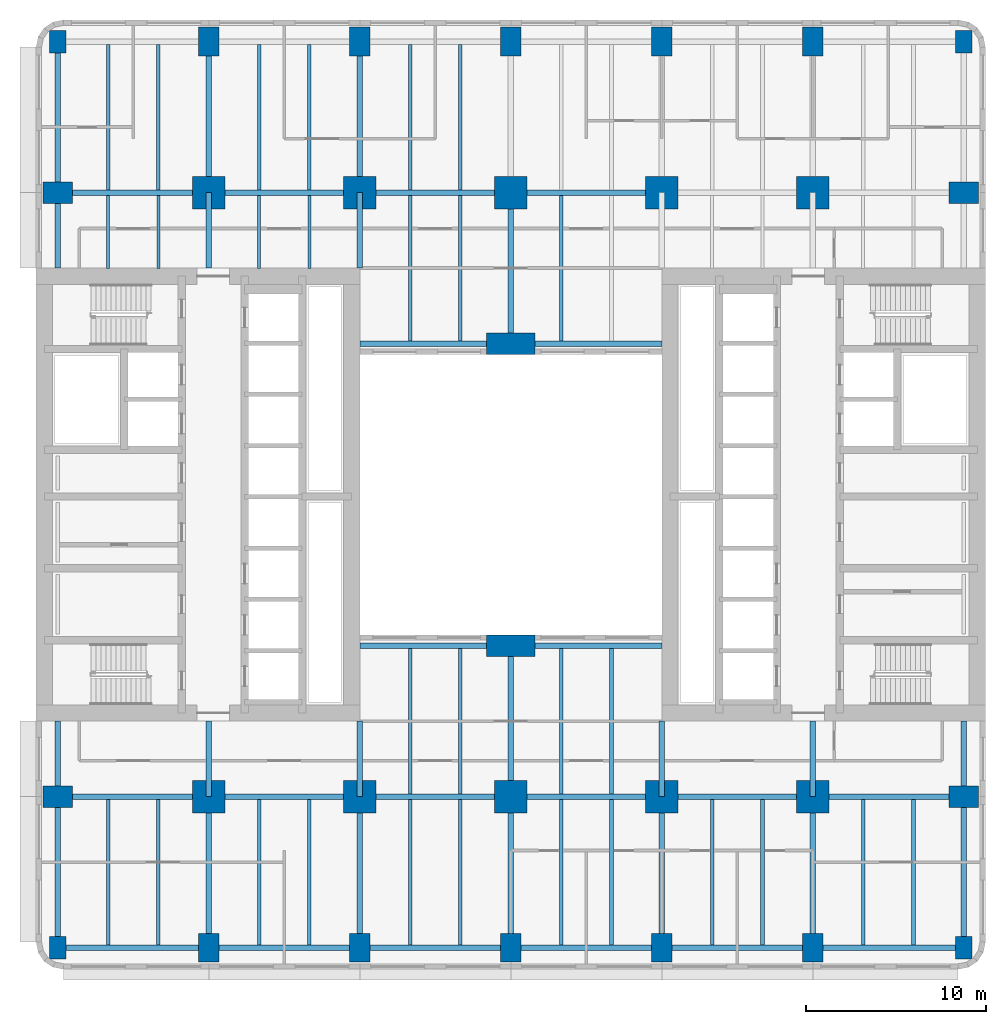
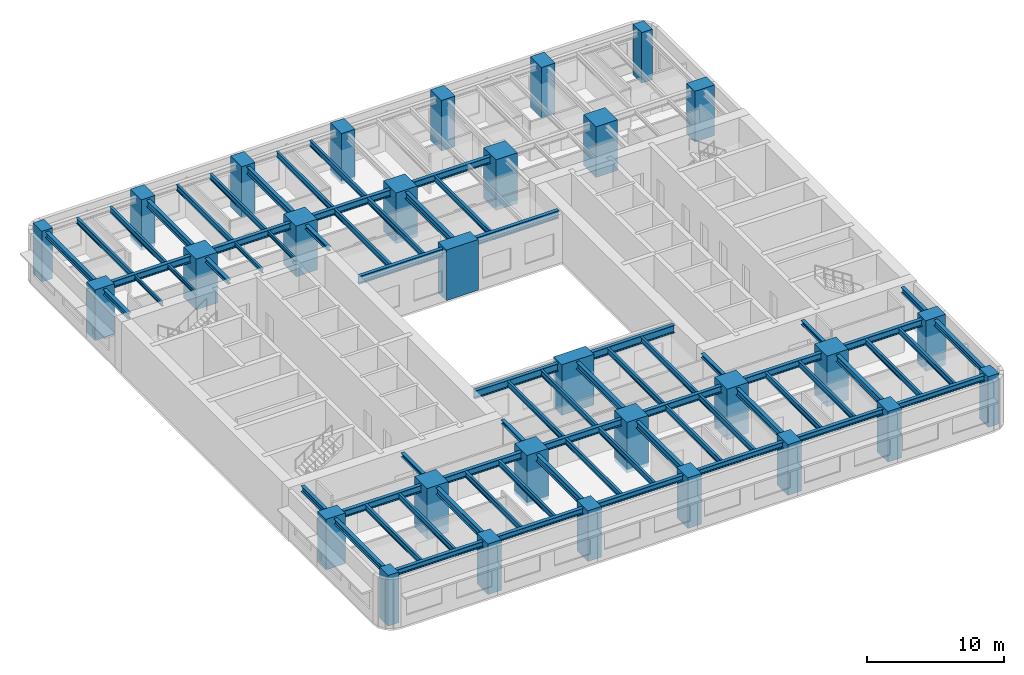
# One storey, part 1 of 14: 70 beams, 30 columns.
"""IFC4 building model written with IfcOpenShell, lengths in metres."""

from ifc_helpers import new_model, si_unit, direction, frame, origin, origin_2d, place, context, subcontext, project, spatial, rectangle, i_section, extrude, material, material_profile, profile_set, type_object, element, save


model = new_model("IFC4")

# Units and contexts
model_context = context("Model", 3, precision=1e-05, world=origin(), true_north=direction((0.0, 1.0)))
body_context = subcontext(model_context, "Body", "Model", "MODEL_VIEW")
ifc_project = project(units=[si_unit("LENGTHUNIT", "METRE"), si_unit("AREAUNIT", "SQUARE_METRE"), si_unit("VOLUMEUNIT", "CUBIC_METRE"), si_unit("PLANEANGLEUNIT", "RADIAN"), si_unit("MASSUNIT", "GRAM", prefix="KILO")], contexts=[model_context])

# Site, building, storey
site_placement = place(None, origin())
site = spatial("IfcSite", under=ifc_project, at=site_placement, CompositionType="ELEMENT")
building_placement = place(site_placement, origin())
building = spatial("IfcBuilding", under=site, at=building_placement, Name="Claustro Exchange Tower", CompositionType="ELEMENT")
storey_placement = place(building_placement, frame((0.0, 0.0, 41.39990234375)))
storey = spatial("IfcBuildingStorey", under=building, at=storey_placement, Name="L09", CompositionType="ELEMENT", Elevation=41.39990234375)

# Columns
ifc_material_1 = material(Name="Concrete HA-70 (C70/85)", Category="concrete")
ifc_material_profile_1 = material_profile(ifc_material_1, rectangle(XDim=1.800048828125, YDim=1.800048828125, at=origin_2d()), Name="RC 1800x1800")
ifc_profile_set_1 = profile_set([ifc_material_profile_1], Name="Concrete HA-70 (C70/85)")
column_type_1 = type_object("IfcColumnType", Name="C14 RC 1800x1800 HA-70 column", PredefinedType="COLUMN", material=ifc_profile_set_1)
for number, where, z_axis, x_axis, name in (
    (1, (8.39990234375, 8.39990234375, 0.0), (0.0, 0.0, 1.0), (1.0, 0.0, 0.0), "Column C14 2/B L09"),
    (2, (8.39990234375, 42.0, 0.0), (0.0, 0.0, 1.0), (1.0, 0.0, 0.0), "Column C14 2/F L09"),
    (3, (16.800048828125, 8.39990234375, 0.0), (0.0, 0.0, 1.0), (1.0, 0.0, 0.0), "Column C14 3/B L09"),
    (4, (16.800048828125, 42.0, 0.0), (0.0, 0.0, 1.0), (1.0, 0.0, 0.0), "Column C14 3/F L09"),
    (5, (25.199951171875, 8.39990234375, 0.0), (0.0, 0.0, 1.0), (1.0, 0.0, 0.0), "Column C14 4/B L09"),
    (6, (25.199951171875, 42.0, 0.0), (0.0, 0.0, 1.0), (1.0, 0.0, 0.0), "Column C14 4/F L09"),
    (7, (33.60009765625, 8.39990234375, 0.0), (0.0, 0.0, 1.0), (1.0, 0.0, 0.0), "Column C14 5/B L09"),
    (8, (33.60009765625, 42.0, 0.0), (0.0, 0.0, 1.0), (1.0, 0.0, 0.0), "Column C14 5/F L09"),
    (9, (42.0, 8.39990234375, 0.0), (0.0, 0.0, 1.0), (1.0, 0.0, 0.0), "Column C14 6/B L09"),
    (10, (42.0, 42.0, 0.0), (0.0, 0.0, 1.0), (1.0, 0.0, 0.0), "Column C14 6/F L09"),
):
    element("IfcColumn", number, at=place(storey_placement, frame(where, z_axis=z_axis, x_axis=x_axis)), inside=storey, type_object=column_type_1, Name=name, PredefinedType="COLUMN", context=body_context, shape_type="SweptSolid", body=[
        extrude(rectangle(XDim=1.800048828125, YDim=1.800048828125, at=origin_2d()), origin(), (0.0, 0.0, 1.0), 4.5),
    ])
ifc_material_2 = material(Name="Concrete HA-70 (C70/85)", Category="concrete")
ifc_material_profile_2 = material_profile(ifc_material_2, rectangle(XDim=1.199951171875, YDim=1.64990234375, at=origin_2d()), Name="RC 1200x1650")
ifc_profile_set_2 = profile_set([ifc_material_profile_2], Name="Concrete HA-70 (C70/85)")
column_type_2 = type_object("IfcColumnType", Name="C19 RC 1200x1650 HA-70 perimeter column", PredefinedType="COLUMN", material=ifc_profile_set_2)
for number, where, z_axis, x_axis, name in (
    (11, (0.0, 8.39990234375, 0.0), (0.0, 0.0, 1.0), (0.0, 1.0, 0.0), "Column C19 1/B L09"),
    (12, (0.0, 42.0, 0.0), (0.0, 0.0, 1.0), (0.0, 1.0, 0.0), "Column C19 1/F L09"),
    (13, (50.39990234375, 8.39990234375, 0.0), (0.0, 0.0, 1.0), (0.0, 1.0, 0.0), "Column C19 7/B L09"),
    (14, (50.39990234375, 42.0, 0.0), (0.0, 0.0, 1.0), (0.0, 1.0, 0.0), "Column C19 7/F L09"),
):
    element("IfcColumn", number, at=place(storey_placement, frame(where, z_axis=z_axis, x_axis=x_axis)), inside=storey, type_object=column_type_2, Name=name, PredefinedType="COLUMN", context=body_context, shape_type="SweptSolid", body=[
        extrude(rectangle(XDim=1.199951171875, YDim=1.64990234375, at=origin_2d()), origin(), (0.0, 0.0, 1.0), 4.5),
    ])
ifc_material_3 = material(Name="Concrete HA-70 (C70/85)", Category="concrete")
ifc_material_profile_3 = material_profile(ifc_material_3, rectangle(XDim=1.14990234375, YDim=1.60009765625, at=origin_2d()), Name="RC 1150x1600")
ifc_profile_set_3 = profile_set([ifc_material_profile_3], Name="Concrete HA-70 (C70/85)")
column_type_3 = type_object("IfcColumnType", Name="C20 RC 1150x1600 HA-70 perimeter column", PredefinedType="COLUMN", material=ifc_profile_set_3)
for number, where, z_axis, x_axis, name in (
    (15, (8.39990234375, 0.0, 0.0), (0.0, 0.0, 1.0), (1.0, 0.0, 0.0), "Column C20 2/A L09"),
    (16, (8.39990234375, 50.39990234375, 0.0), (0.0, 0.0, 1.0), (1.0, 0.0, 0.0), "Column C20 2/G L09"),
    (17, (16.800048828125, 0.0, 0.0), (0.0, 0.0, 1.0), (1.0, 0.0, 0.0), "Column C20 3/A L09"),
    (18, (16.800048828125, 50.39990234375, 0.0), (0.0, 0.0, 1.0), (1.0, 0.0, 0.0), "Column C20 3/G L09"),
    (19, (25.199951171875, 0.0, 0.0), (0.0, 0.0, 1.0), (1.0, 0.0, 0.0), "Column C20 4/A L09"),
    (20, (25.199951171875, 50.39990234375, 0.0), (0.0, 0.0, 1.0), (1.0, 0.0, 0.0), "Column C20 4/G L09"),
    (21, (33.60009765625, 0.0, 0.0), (0.0, 0.0, 1.0), (1.0, 0.0, 0.0), "Column C20 5/A L09"),
    (22, (33.60009765625, 50.39990234375, 0.0), (0.0, 0.0, 1.0), (1.0, 0.0, 0.0), "Column C20 5/G L09"),
    (23, (42.0, 0.0, 0.0), (0.0, 0.0, 1.0), (1.0, 0.0, 0.0), "Column C20 6/A L09"),
    (24, (42.0, 50.39990234375, 0.0), (0.0, 0.0, 1.0), (1.0, 0.0, 0.0), "Column C20 6/G L09"),
):
    element("IfcColumn", number, at=place(storey_placement, frame(where, z_axis=z_axis, x_axis=x_axis)), inside=storey, type_object=column_type_3, Name=name, PredefinedType="COLUMN", context=body_context, shape_type="SweptSolid", body=[
        extrude(rectangle(XDim=1.14990234375, YDim=1.60009765625, at=origin_2d()), origin(), (0.0, 0.0, 1.0), 4.5),
    ])
ifc_material_4 = material(Name="Concrete HA-70 (C70/85)", Category="concrete")
ifc_material_profile_4 = material_profile(ifc_material_4, rectangle(XDim=2.699951171875, YDim=1.199951171875, at=origin_2d()), Name="RC 2700x1200")
ifc_profile_set_4 = profile_set([ifc_material_profile_4], Name="Concrete HA-70 (C70/85)")
column_type_4 = type_object("IfcColumnType", Name="C30 RC 2700x1200 HA-70 light well column", PredefinedType="COLUMN", material=ifc_profile_set_4)
for number, where, z_axis, x_axis, name in (
    (25, (25.199951171875, 16.800048828125, 0.0), (0.0, 0.0, 1.0), (1.0, 0.0, 0.0), "Column C30 4/C L09"),
    (26, (25.199951171875, 33.60009765625, 0.0), (0.0, 0.0, 1.0), (1.0, 0.0, 0.0), "Column C30 4/E L09"),
):
    element("IfcColumn", number, at=place(storey_placement, frame(where, z_axis=z_axis, x_axis=x_axis)), inside=storey, type_object=column_type_4, Name=name, PredefinedType="COLUMN", context=body_context, shape_type="SweptSolid", body=[
        extrude(rectangle(XDim=2.699951171875, YDim=1.199951171875, at=origin_2d()), origin(), (0.0, 0.0, 1.0), 4.5),
    ])
ifc_material_5 = material(Name="Concrete HA-70 (C70/85)", Category="concrete")
ifc_material_profile_5 = material_profile(ifc_material_5, rectangle(XDim=0.89990234375, YDim=1.25, at=origin_2d()), Name="RC 900x1250")
ifc_profile_set_5 = profile_set([ifc_material_profile_5], Name="Concrete HA-70 (C70/85)")
column_type_5 = type_object("IfcColumnType", Name="C35 RC 900x1250 HA-70 corner column", PredefinedType="COLUMN", material=ifc_profile_set_5)
for number, where, z_axis, x_axis, name in (
    (27, (0.0, 0.0, 0.0), (0.0, 0.0, 1.0), (1.0, 0.0, 0.0), "Column C35 1/A L09"),
    (28, (0.0, 50.39990234375, 0.0), (0.0, 0.0, 1.0), (1.0, 0.0, 0.0), "Column C35 1/G L09"),
    (29, (50.39990234375, 0.0, 0.0), (0.0, 0.0, 1.0), (1.0, 0.0, 0.0), "Column C35 7/A L09"),
    (30, (50.39990234375, 50.39990234375, 0.0), (0.0, 0.0, 1.0), (1.0, 0.0, 0.0), "Column C35 7/G L09"),
):
    element("IfcColumn", number, at=place(storey_placement, frame(where, z_axis=z_axis, x_axis=x_axis)), inside=storey, type_object=column_type_5, Name=name, PredefinedType="COLUMN", context=body_context, shape_type="SweptSolid", body=[
        extrude(rectangle(XDim=0.89990234375, YDim=1.25, at=origin_2d()), origin(), (0.0, 0.0, 1.0), 4.5),
    ])

# Beams
ifc_material_6 = material(Name="Steel S355", Category="steel")
ifc_material_profile_6 = material_profile(ifc_material_6, i_section(OverallWidth=0.300048828125, OverallDepth=0.60009765625, WebThickness=0.015380859375, FlangeThickness=0.030029296875, FilletRadius=0.027099609375, at=origin_2d()), Name="HE 600 B")
ifc_profile_set_6 = profile_set([ifc_material_profile_6], Name="Steel S355")
beam_type_1 = type_object("IfcBeamType", Name="B1 HE 600 B floor girder", PredefinedType="BEAM", material=ifc_profile_set_6)
for number, where, z_axis, x_axis, name in (
    (31, (8.39990234375, 0.0, 4.0400390625), (0.0, 1.0, 0.0), (-1.0, 0.0, 0.0), "Beam B1 L10"),
    (32, (8.39990234375, 42.0, 4.0400390625), (0.0, 1.0, 0.0), (-1.0, 0.0, 0.0), "Beam B1 L10"),
    (33, (16.800048828125, 0.0, 4.0400390625), (0.0, 1.0, 0.0), (-1.0, 0.0, 0.0), "Beam B1 L10"),
    (34, (16.800048828125, 42.0, 4.0400390625), (0.0, 1.0, 0.0), (-1.0, 0.0, 0.0), "Beam B1 L10"),
    (35, (25.199951171875, 0.0, 4.0400390625), (0.0, 1.0, 0.0), (-1.0, 0.0, 0.0), "Beam B1 L10"),
):
    element("IfcBeam", number, at=place(storey_placement, frame(where, z_axis=z_axis, x_axis=x_axis)), inside=storey, type_object=beam_type_1, Name=name, PredefinedType="BEAM", context=body_context, shape_type="SweptSolid", body=[
        extrude(i_section(OverallWidth=0.300048828125, OverallDepth=0.60009765625, WebThickness=0.015380859375, FlangeThickness=0.030029296875, FilletRadius=0.027099609375, at=origin_2d()), origin(), (0.0, 0.0, 1.0), 8.39990234375),
    ])
beam_1_placement = place(storey_placement, frame((25.199951171875, 8.39990234375, 4.0400390625), z_axis=(0.0, 1.0, 0.0), x_axis=(-1.0, 0.0, 0.0)))
element("IfcBeam", 36, at=beam_1_placement, inside=storey, type_object=beam_type_1, Name="Beam B1 L10", PredefinedType="BEAM", context=body_context, shape_type="SweptSolid", body=[
    extrude(i_section(OverallWidth=0.300048828125, OverallDepth=0.60009765625, WebThickness=0.015380859375, FlangeThickness=0.030029296875, FilletRadius=0.027099609375, at=origin_2d()), origin(), (0.0, 0.0, 1.0), 8.400146484375),
])
for number, where, z_axis, x_axis, name in (
    (37, (25.199951171875, 33.60009765625, 4.0400390625), (0.0, 1.0, 0.0), (-1.0, 0.0, 0.0), "Beam B1 L10"),
    (38, (33.60009765625, 0.0, 4.0400390625), (0.0, 1.0, 0.0), (-1.0, 0.0, 0.0), "Beam B1 L10"),
    (39, (42.0, 0.0, 4.0400390625), (0.0, 1.0, 0.0), (-1.0, 0.0, 0.0), "Beam B1 L10"),
    (40, (0.0, 8.39990234375, 4.0400390625), (1.0, 0.0, 0.0), (0.0, 1.0, 0.0), "Beam B1 L10"),
):
    element("IfcBeam", number, at=place(storey_placement, frame(where, z_axis=z_axis, x_axis=x_axis)), inside=storey, type_object=beam_type_1, Name=name, PredefinedType="BEAM", context=body_context, shape_type="SweptSolid", body=[
        extrude(i_section(OverallWidth=0.300048828125, OverallDepth=0.60009765625, WebThickness=0.015380859375, FlangeThickness=0.030029296875, FilletRadius=0.027099609375, at=origin_2d()), origin(), (0.0, 0.0, 1.0), 8.39990234375),
    ])
beam_2_placement = place(storey_placement, frame((8.39990234375, 8.39990234375, 4.0400390625), z_axis=(1.0, 0.0, 0.0), x_axis=(0.0, 1.0, 0.0)))
element("IfcBeam", 41, at=beam_2_placement, inside=storey, type_object=beam_type_1, Name="Beam B1 L10", PredefinedType="BEAM", context=body_context, shape_type="SweptSolid", body=[
    extrude(i_section(OverallWidth=0.300048828125, OverallDepth=0.60009765625, WebThickness=0.015380859375, FlangeThickness=0.030029296875, FilletRadius=0.027099609375, at=origin_2d()), origin(), (0.0, 0.0, 1.0), 8.400146484375),
])
beam_3_placement = place(storey_placement, frame((16.800048828125, 8.39990234375, 4.0400390625), z_axis=(1.0, 0.0, 0.0), x_axis=(0.0, 1.0, 0.0)))
element("IfcBeam", 42, at=beam_3_placement, inside=storey, type_object=beam_type_1, Name="Beam B1 L10", PredefinedType="BEAM", context=body_context, shape_type="SweptSolid", body=[
    extrude(i_section(OverallWidth=0.300048828125, OverallDepth=0.60009765625, WebThickness=0.015380859375, FlangeThickness=0.030029296875, FilletRadius=0.027099609375, at=origin_2d()), origin(), (0.0, 0.0, 1.0), 8.39990234375),
])
beam_4_placement = place(storey_placement, frame((25.199951171875, 8.39990234375, 4.0400390625), z_axis=(1.0, 0.0, 0.0), x_axis=(0.0, 1.0, 0.0)))
element("IfcBeam", 43, at=beam_4_placement, inside=storey, type_object=beam_type_1, Name="Beam B1 L10", PredefinedType="BEAM", context=body_context, shape_type="SweptSolid", body=[
    extrude(i_section(OverallWidth=0.300048828125, OverallDepth=0.60009765625, WebThickness=0.015380859375, FlangeThickness=0.030029296875, FilletRadius=0.027099609375, at=origin_2d()), origin(), (0.0, 0.0, 1.0), 8.400146484375),
])
for number, where, z_axis, x_axis, name in (
    (44, (33.60009765625, 8.39990234375, 4.0400390625), (1.0, 0.0, 0.0), (0.0, 1.0, 0.0), "Beam B1 L10"),
    (45, (42.0, 8.39990234375, 4.0400390625), (1.0, 0.0, 0.0), (0.0, 1.0, 0.0), "Beam B1 L10"),
    (46, (0.0, 42.0, 4.0400390625), (1.0, 0.0, 0.0), (0.0, 1.0, 0.0), "Beam B1 L10"),
):
    element("IfcBeam", number, at=place(storey_placement, frame(where, z_axis=z_axis, x_axis=x_axis)), inside=storey, type_object=beam_type_1, Name=name, PredefinedType="BEAM", context=body_context, shape_type="SweptSolid", body=[
        extrude(i_section(OverallWidth=0.300048828125, OverallDepth=0.60009765625, WebThickness=0.015380859375, FlangeThickness=0.030029296875, FilletRadius=0.027099609375, at=origin_2d()), origin(), (0.0, 0.0, 1.0), 8.39990234375),
    ])
beam_5_placement = place(storey_placement, frame((8.39990234375, 42.0, 4.0400390625), z_axis=(1.0, 0.0, 0.0), x_axis=(0.0, 1.0, 0.0)))
element("IfcBeam", 47, at=beam_5_placement, inside=storey, type_object=beam_type_1, Name="Beam B1 L10", PredefinedType="BEAM", context=body_context, shape_type="SweptSolid", body=[
    extrude(i_section(OverallWidth=0.300048828125, OverallDepth=0.60009765625, WebThickness=0.015380859375, FlangeThickness=0.030029296875, FilletRadius=0.027099609375, at=origin_2d()), origin(), (0.0, 0.0, 1.0), 8.400146484375),
])
beam_6_placement = place(storey_placement, frame((16.800048828125, 42.0, 4.0400390625), z_axis=(1.0, 0.0, 0.0), x_axis=(0.0, 1.0, 0.0)))
element("IfcBeam", 48, at=beam_6_placement, inside=storey, type_object=beam_type_1, Name="Beam B1 L10", PredefinedType="BEAM", context=body_context, shape_type="SweptSolid", body=[
    extrude(i_section(OverallWidth=0.300048828125, OverallDepth=0.60009765625, WebThickness=0.015380859375, FlangeThickness=0.030029296875, FilletRadius=0.027099609375, at=origin_2d()), origin(), (0.0, 0.0, 1.0), 8.39990234375),
])
beam_7_placement = place(storey_placement, frame((25.199951171875, 42.0, 4.0400390625), z_axis=(1.0, 0.0, 0.0), x_axis=(0.0, 1.0, 0.0)))
element("IfcBeam", 49, at=beam_7_placement, inside=storey, type_object=beam_type_1, Name="Beam B1 L10", PredefinedType="BEAM", context=body_context, shape_type="SweptSolid", body=[
    extrude(i_section(OverallWidth=0.300048828125, OverallDepth=0.60009765625, WebThickness=0.015380859375, FlangeThickness=0.030029296875, FilletRadius=0.027099609375, at=origin_2d()), origin(), (0.0, 0.0, 1.0), 8.400146484375),
])
ifc_material_7 = material(Name="Steel S355", Category="steel")
ifc_material_profile_7 = material_profile(ifc_material_7, i_section(OverallWidth=0.300048828125, OverallDepth=0.68994140625, WebThickness=0.014404296875, FlangeThickness=0.027099609375, FilletRadius=0.027099609375, at=origin_2d()), Name="HE 700 A")
ifc_profile_set_7 = profile_set([ifc_material_profile_7], Name="Steel S355")
beam_type_2 = type_object("IfcBeamType", Name="B13 HE 700 A light well edge girder", PredefinedType="BEAM", material=ifc_profile_set_7)
beam_8_placement = place(storey_placement, frame((16.800048828125, 16.800048828125, 3.9951171875), z_axis=(1.0, 0.0, 0.0), x_axis=(0.0, 1.0, 0.0)))
element("IfcBeam", 50, at=beam_8_placement, inside=storey, type_object=beam_type_2, Name="Beam B13 L10", PredefinedType="BEAM", context=body_context, shape_type="SweptSolid", body=[
    extrude(i_section(OverallWidth=0.300048828125, OverallDepth=0.68994140625, WebThickness=0.014404296875, FlangeThickness=0.027099609375, FilletRadius=0.027099609375, at=origin_2d()), origin(), (0.0, 0.0, 1.0), 8.39990234375),
])
beam_9_placement = place(storey_placement, frame((25.199951171875, 16.800048828125, 3.9951171875), z_axis=(1.0, 0.0, 0.0), x_axis=(0.0, 1.0, 0.0)))
element("IfcBeam", 51, at=beam_9_placement, inside=storey, type_object=beam_type_2, Name="Beam B13 L10", PredefinedType="BEAM", context=body_context, shape_type="SweptSolid", body=[
    extrude(i_section(OverallWidth=0.300048828125, OverallDepth=0.68994140625, WebThickness=0.014404296875, FlangeThickness=0.027099609375, FilletRadius=0.027099609375, at=origin_2d()), origin(), (0.0, 0.0, 1.0), 8.400146484375),
])
beam_10_placement = place(storey_placement, frame((16.800048828125, 33.60009765625, 3.9951171875), z_axis=(1.0, 0.0, 0.0), x_axis=(0.0, 1.0, 0.0)))
element("IfcBeam", 52, at=beam_10_placement, inside=storey, type_object=beam_type_2, Name="Beam B13 L10", PredefinedType="BEAM", context=body_context, shape_type="SweptSolid", body=[
    extrude(i_section(OverallWidth=0.300048828125, OverallDepth=0.68994140625, WebThickness=0.014404296875, FlangeThickness=0.027099609375, FilletRadius=0.027099609375, at=origin_2d()), origin(), (0.0, 0.0, 1.0), 8.39990234375),
])
beam_11_placement = place(storey_placement, frame((25.199951171875, 33.60009765625, 3.9951171875), z_axis=(1.0, 0.0, 0.0), x_axis=(0.0, 1.0, 0.0)))
element("IfcBeam", 53, at=beam_11_placement, inside=storey, type_object=beam_type_2, Name="Beam B13 L10", PredefinedType="BEAM", context=body_context, shape_type="SweptSolid", body=[
    extrude(i_section(OverallWidth=0.300048828125, OverallDepth=0.68994140625, WebThickness=0.014404296875, FlangeThickness=0.027099609375, FilletRadius=0.027099609375, at=origin_2d()), origin(), (0.0, 0.0, 1.0), 8.400146484375),
])
ifc_material_8 = material(Name="Steel S355", Category="steel")
ifc_material_profile_8 = material_profile(ifc_material_8, i_section(OverallWidth=0.169921875, OverallDepth=0.360107421875, WebThickness=0.008056640625, FlangeThickness=0.0126953125, FilletRadius=0.01806640625, at=origin_2d()), Name="IPE 360")
ifc_profile_set_8 = profile_set([ifc_material_profile_8], Name="Steel S355")
beam_type_3 = type_object("IfcBeamType", Name="B16 IPE 360 short-span beam", PredefinedType="BEAM", material=ifc_profile_set_8)
for number, where, z_axis, x_axis, name in (
    (54, (2.800048828125, 37.7900390625, 4.16015625), (0.0, 1.0, 0.0), (-1.0, 0.0, 0.0), "Beam B16 L10"),
    (55, (5.60009765625, 37.7900390625, 4.16015625), (0.0, 1.0, 0.0), (-1.0, 0.0, 0.0), "Beam B16 L10"),
    (56, (11.199951171875, 37.7900390625, 4.16015625), (0.0, 1.0, 0.0), (-1.0, 0.0, 0.0), "Beam B16 L10"),
    (57, (14.0, 37.7900390625, 4.16015625), (0.0, 1.0, 0.0), (-1.0, 0.0, 0.0), "Beam B16 L10"),
):
    element("IfcBeam", number, at=place(storey_placement, frame(where, z_axis=z_axis, x_axis=x_axis)), inside=storey, type_object=beam_type_3, Name=name, PredefinedType="BEAM", context=body_context, shape_type="SweptSolid", body=[
        extrude(i_section(OverallWidth=0.169921875, OverallDepth=0.360107421875, WebThickness=0.008056640625, FlangeThickness=0.0126953125, FilletRadius=0.01806640625, at=origin_2d()), origin(), (0.0, 0.0, 1.0), 4.06005859375),
    ])
ifc_material_9 = material(Name="Steel S355", Category="steel")
ifc_material_profile_9 = material_profile(ifc_material_9, i_section(OverallWidth=0.199951171875, OverallDepth=0.5, WebThickness=0.01025390625, FlangeThickness=0.01611328125, FilletRadius=0.02099609375, at=origin_2d()), Name="IPE 500")
ifc_profile_set_9 = profile_set([ifc_material_profile_9], Name="Steel S355")
beam_type_4 = type_object("IfcBeamType", Name="B2 IPE 500 secondary beam", PredefinedType="BEAM", material=ifc_profile_set_9)
for number, where, z_axis, x_axis, name in (
    (58, (2.800048828125, 0.14990234375, 4.090087890625), (0.0, 1.0, 0.0), (-1.0, 0.0, 0.0), "Beam B2 L10"),
    (59, (5.60009765625, 0.14990234375, 4.090087890625), (0.0, 1.0, 0.0), (-1.0, 0.0, 0.0), "Beam B2 L10"),
    (60, (2.800048828125, 42.14990234375, 4.090087890625), (0.0, 1.0, 0.0), (-1.0, 0.0, 0.0), "Beam B2 L10"),
    (61, (5.60009765625, 42.14990234375, 4.090087890625), (0.0, 1.0, 0.0), (-1.0, 0.0, 0.0), "Beam B2 L10"),
    (62, (11.199951171875, 0.14990234375, 4.090087890625), (0.0, 1.0, 0.0), (-1.0, 0.0, 0.0), "Beam B2 L10"),
    (63, (14.0, 0.14990234375, 4.090087890625), (0.0, 1.0, 0.0), (-1.0, 0.0, 0.0), "Beam B2 L10"),
    (64, (11.199951171875, 42.14990234375, 4.090087890625), (0.0, 1.0, 0.0), (-1.0, 0.0, 0.0), "Beam B2 L10"),
    (65, (14.0, 42.14990234375, 4.090087890625), (0.0, 1.0, 0.0), (-1.0, 0.0, 0.0), "Beam B2 L10"),
    (66, (19.60009765625, 0.14990234375, 4.090087890625), (0.0, 1.0, 0.0), (-1.0, 0.0, 0.0), "Beam B2 L10"),
    (67, (22.39990234375, 0.14990234375, 4.090087890625), (0.0, 1.0, 0.0), (-1.0, 0.0, 0.0), "Beam B2 L10"),
):
    element("IfcBeam", number, at=place(storey_placement, frame(where, z_axis=z_axis, x_axis=x_axis)), inside=storey, type_object=beam_type_4, Name=name, PredefinedType="BEAM", context=body_context, shape_type="SweptSolid", body=[
        extrude(i_section(OverallWidth=0.199951171875, OverallDepth=0.5, WebThickness=0.01025390625, FlangeThickness=0.01611328125, FilletRadius=0.02099609375, at=origin_2d()), origin(), (0.0, 0.0, 1.0), 8.10009765625),
    ])
for number, where, z_axis, x_axis, name in (
    (68, (19.60009765625, 8.550048828125, 4.090087890625), (0.0, 1.0, 0.0), (-1.0, 0.0, 0.0), "Beam B2 L10"),
    (69, (22.39990234375, 8.550048828125, 4.090087890625), (0.0, 1.0, 0.0), (-1.0, 0.0, 0.0), "Beam B2 L10"),
):
    element("IfcBeam", number, at=place(storey_placement, frame(where, z_axis=z_axis, x_axis=x_axis)), inside=storey, type_object=beam_type_4, Name=name, PredefinedType="BEAM", context=body_context, shape_type="SweptSolid", body=[
        extrude(i_section(OverallWidth=0.199951171875, OverallDepth=0.5, WebThickness=0.01025390625, FlangeThickness=0.01611328125, FilletRadius=0.02099609375, at=origin_2d()), origin(), (0.0, 0.0, 1.0), 8.099853515625),
    ])
for number, where, z_axis, x_axis, name in (
    (70, (19.60009765625, 33.75, 4.090087890625), (0.0, 1.0, 0.0), (-1.0, 0.0, 0.0), "Beam B2 L10"),
    (71, (22.39990234375, 33.75, 4.090087890625), (0.0, 1.0, 0.0), (-1.0, 0.0, 0.0), "Beam B2 L10"),
    (72, (19.60009765625, 42.14990234375, 4.090087890625), (0.0, 1.0, 0.0), (-1.0, 0.0, 0.0), "Beam B2 L10"),
    (73, (22.39990234375, 42.14990234375, 4.090087890625), (0.0, 1.0, 0.0), (-1.0, 0.0, 0.0), "Beam B2 L10"),
    (74, (28.0, 0.14990234375, 4.090087890625), (0.0, 1.0, 0.0), (-1.0, 0.0, 0.0), "Beam B2 L10"),
    (75, (30.800048828125, 0.14990234375, 4.090087890625), (0.0, 1.0, 0.0), (-1.0, 0.0, 0.0), "Beam B2 L10"),
):
    element("IfcBeam", number, at=place(storey_placement, frame(where, z_axis=z_axis, x_axis=x_axis)), inside=storey, type_object=beam_type_4, Name=name, PredefinedType="BEAM", context=body_context, shape_type="SweptSolid", body=[
        extrude(i_section(OverallWidth=0.199951171875, OverallDepth=0.5, WebThickness=0.01025390625, FlangeThickness=0.01611328125, FilletRadius=0.02099609375, at=origin_2d()), origin(), (0.0, 0.0, 1.0), 8.10009765625),
    ])
for number, where, z_axis, x_axis, name in (
    (76, (28.0, 8.550048828125, 4.090087890625), (0.0, 1.0, 0.0), (-1.0, 0.0, 0.0), "Beam B2 L10"),
    (77, (30.800048828125, 8.550048828125, 4.090087890625), (0.0, 1.0, 0.0), (-1.0, 0.0, 0.0), "Beam B2 L10"),
):
    element("IfcBeam", number, at=place(storey_placement, frame(where, z_axis=z_axis, x_axis=x_axis)), inside=storey, type_object=beam_type_4, Name=name, PredefinedType="BEAM", context=body_context, shape_type="SweptSolid", body=[
        extrude(i_section(OverallWidth=0.199951171875, OverallDepth=0.5, WebThickness=0.01025390625, FlangeThickness=0.01611328125, FilletRadius=0.02099609375, at=origin_2d()), origin(), (0.0, 0.0, 1.0), 8.099853515625),
    ])
for number, where, z_axis, x_axis, name in (
    (78, (28.0, 33.75, 4.090087890625), (0.0, 1.0, 0.0), (-1.0, 0.0, 0.0), "Beam B2 L10"),
    (79, (36.39990234375, 0.14990234375, 4.090087890625), (0.0, 1.0, 0.0), (-1.0, 0.0, 0.0), "Beam B2 L10"),
    (80, (39.199951171875, 0.14990234375, 4.090087890625), (0.0, 1.0, 0.0), (-1.0, 0.0, 0.0), "Beam B2 L10"),
    (81, (44.800048828125, 0.14990234375, 4.090087890625), (0.0, 1.0, 0.0), (-1.0, 0.0, 0.0), "Beam B2 L10"),
    (82, (47.60009765625, 0.14990234375, 4.090087890625), (0.0, 1.0, 0.0), (-1.0, 0.0, 0.0), "Beam B2 L10"),
):
    element("IfcBeam", number, at=place(storey_placement, frame(where, z_axis=z_axis, x_axis=x_axis)), inside=storey, type_object=beam_type_4, Name=name, PredefinedType="BEAM", context=body_context, shape_type="SweptSolid", body=[
        extrude(i_section(OverallWidth=0.199951171875, OverallDepth=0.5, WebThickness=0.01025390625, FlangeThickness=0.01611328125, FilletRadius=0.02099609375, at=origin_2d()), origin(), (0.0, 0.0, 1.0), 8.10009765625),
    ])
ifc_material_10 = material(Name="Steel S355", Category="steel")
ifc_material_profile_10 = material_profile(ifc_material_10, i_section(OverallWidth=0.300048828125, OverallDepth=0.360107421875, WebThickness=0.012451171875, FlangeThickness=0.0224609375, FilletRadius=0.027099609375, at=origin_2d()), Name="HE 360 B")
ifc_profile_set_10 = profile_set([ifc_material_profile_10], Name="Steel S355")
beam_type_5 = type_object("IfcBeamType", Name="B29 HE 360 B column to core link beam", PredefinedType="BEAM", material=ifc_profile_set_10)
beam_12_placement = place(storey_placement, frame((8.39990234375, 8.39990234375, 4.16015625), z_axis=(0.0, 1.0, 0.0), x_axis=(-1.0, 0.0, 0.0)))
element("IfcBeam", 83, at=beam_12_placement, inside=storey, type_object=beam_type_5, Name="Beam B29 L10", PredefinedType="BEAM", context=body_context, shape_type="SweptSolid", body=[
    extrude(i_section(OverallWidth=0.300048828125, OverallDepth=0.360107421875, WebThickness=0.012451171875, FlangeThickness=0.0224609375, FilletRadius=0.027099609375, at=origin_2d()), origin(), (0.0, 0.0, 1.0), 4.2001953125),
])
beam_13_placement = place(storey_placement, frame((8.39990234375, 37.800048828125, 4.16015625), z_axis=(0.0, 1.0, 0.0), x_axis=(-1.0, 0.0, 0.0)))
element("IfcBeam", 84, at=beam_13_placement, inside=storey, type_object=beam_type_5, Name="Beam B29 L10", PredefinedType="BEAM", context=body_context, shape_type="SweptSolid", body=[
    extrude(i_section(OverallWidth=0.300048828125, OverallDepth=0.360107421875, WebThickness=0.012451171875, FlangeThickness=0.0224609375, FilletRadius=0.027099609375, at=origin_2d()), origin(), (0.0, 0.0, 1.0), 4.199951171875),
])
beam_14_placement = place(storey_placement, frame((16.800048828125, 8.39990234375, 4.16015625), z_axis=(0.0, 1.0, 0.0), x_axis=(-1.0, 0.0, 0.0)))
element("IfcBeam", 85, at=beam_14_placement, inside=storey, type_object=beam_type_5, Name="Beam B29 L10", PredefinedType="BEAM", context=body_context, shape_type="SweptSolid", body=[
    extrude(i_section(OverallWidth=0.300048828125, OverallDepth=0.360107421875, WebThickness=0.012451171875, FlangeThickness=0.0224609375, FilletRadius=0.027099609375, at=origin_2d()), origin(), (0.0, 0.0, 1.0), 4.2001953125),
])
beam_15_placement = place(storey_placement, frame((16.800048828125, 37.800048828125, 4.16015625), z_axis=(0.0, 1.0, 0.0), x_axis=(-1.0, 0.0, 0.0)))
element("IfcBeam", 86, at=beam_15_placement, inside=storey, type_object=beam_type_5, Name="Beam B29 L10", PredefinedType="BEAM", context=body_context, shape_type="SweptSolid", body=[
    extrude(i_section(OverallWidth=0.300048828125, OverallDepth=0.360107421875, WebThickness=0.012451171875, FlangeThickness=0.0224609375, FilletRadius=0.027099609375, at=origin_2d()), origin(), (0.0, 0.0, 1.0), 4.199951171875),
])
for number, where, z_axis, x_axis, name in (
    (87, (33.60009765625, 8.39990234375, 4.16015625), (0.0, 1.0, 0.0), (-1.0, 0.0, 0.0), "Beam B29 L10"),
    (88, (42.0, 8.39990234375, 4.16015625), (0.0, 1.0, 0.0), (-1.0, 0.0, 0.0), "Beam B29 L10"),
):
    element("IfcBeam", number, at=place(storey_placement, frame(where, z_axis=z_axis, x_axis=x_axis)), inside=storey, type_object=beam_type_5, Name=name, PredefinedType="BEAM", context=body_context, shape_type="SweptSolid", body=[
        extrude(i_section(OverallWidth=0.300048828125, OverallDepth=0.360107421875, WebThickness=0.012451171875, FlangeThickness=0.0224609375, FilletRadius=0.027099609375, at=origin_2d()), origin(), (0.0, 0.0, 1.0), 4.2001953125),
    ])
ifc_material_11 = material(Name="Steel S355", Category="steel")
ifc_material_profile_11 = material_profile(ifc_material_11, i_section(OverallWidth=0.300048828125, OverallDepth=0.5, WebThickness=0.014404296875, FlangeThickness=0.028076171875, FilletRadius=0.027099609375, at=origin_2d()), Name="HE 500 B")
ifc_profile_set_11 = profile_set([ifc_material_profile_11], Name="Steel S355")
beam_type_6 = type_object("IfcBeamType", Name="B3 HE 500 B spandrel edge girder", PredefinedType="SPANDREL", material=ifc_profile_set_11)
beam_16_placement = place(storey_placement, frame((0.0, 0.0, 4.090087890625), z_axis=(0.0, 1.0, 0.0), x_axis=(-1.0, 0.0, 0.0)))
element("IfcBeam", 89, at=beam_16_placement, inside=storey, type_object=beam_type_6, Name="Beam B3 L10", PredefinedType="SPANDREL", context=body_context, shape_type="SweptSolid", body=[
    extrude(i_section(OverallWidth=0.300048828125, OverallDepth=0.5, WebThickness=0.014404296875, FlangeThickness=0.028076171875, FilletRadius=0.027099609375, at=origin_2d()), origin(), (0.0, 0.0, 1.0), 8.39990234375),
])
beam_17_placement = place(storey_placement, frame((0.0, 8.39990234375, 4.090087890625), z_axis=(0.0, 1.0, 0.0), x_axis=(-1.0, 0.0, 0.0)))
element("IfcBeam", 90, at=beam_17_placement, inside=storey, type_object=beam_type_6, Name="Beam B3 L10", PredefinedType="SPANDREL", context=body_context, shape_type="SweptSolid", body=[
    extrude(i_section(OverallWidth=0.300048828125, OverallDepth=0.5, WebThickness=0.014404296875, FlangeThickness=0.028076171875, FilletRadius=0.027099609375, at=origin_2d()), origin(), (0.0, 0.0, 1.0), 4.2001953125),
])
beam_18_placement = place(storey_placement, frame((0.0, 37.800048828125, 4.090087890625), z_axis=(0.0, 1.0, 0.0), x_axis=(-1.0, 0.0, 0.0)))
element("IfcBeam", 91, at=beam_18_placement, inside=storey, type_object=beam_type_6, Name="Beam B3 L10", PredefinedType="SPANDREL", context=body_context, shape_type="SweptSolid", body=[
    extrude(i_section(OverallWidth=0.300048828125, OverallDepth=0.5, WebThickness=0.014404296875, FlangeThickness=0.028076171875, FilletRadius=0.027099609375, at=origin_2d()), origin(), (0.0, 0.0, 1.0), 4.199951171875),
])
for number, where, z_axis, x_axis, name in (
    (92, (0.0, 42.0, 4.090087890625), (0.0, 1.0, 0.0), (-1.0, 0.0, 0.0), "Beam B3 L10"),
    (93, (50.39990234375, 0.0, 4.090087890625), (0.0, 1.0, 0.0), (-1.0, 0.0, 0.0), "Beam B3 L10"),
):
    element("IfcBeam", number, at=place(storey_placement, frame(where, z_axis=z_axis, x_axis=x_axis)), inside=storey, type_object=beam_type_6, Name=name, PredefinedType="SPANDREL", context=body_context, shape_type="SweptSolid", body=[
        extrude(i_section(OverallWidth=0.300048828125, OverallDepth=0.5, WebThickness=0.014404296875, FlangeThickness=0.028076171875, FilletRadius=0.027099609375, at=origin_2d()), origin(), (0.0, 0.0, 1.0), 8.39990234375),
    ])
beam_19_placement = place(storey_placement, frame((50.39990234375, 8.39990234375, 4.090087890625), z_axis=(0.0, 1.0, 0.0), x_axis=(-1.0, 0.0, 0.0)))
element("IfcBeam", 94, at=beam_19_placement, inside=storey, type_object=beam_type_6, Name="Beam B3 L10", PredefinedType="SPANDREL", context=body_context, shape_type="SweptSolid", body=[
    extrude(i_section(OverallWidth=0.300048828125, OverallDepth=0.5, WebThickness=0.014404296875, FlangeThickness=0.028076171875, FilletRadius=0.027099609375, at=origin_2d()), origin(), (0.0, 0.0, 1.0), 4.2001953125),
])
beam_20_placement = place(storey_placement, frame((0.0, 0.0, 4.090087890625), z_axis=(1.0, 0.0, 0.0), x_axis=(0.0, 1.0, 0.0)))
element("IfcBeam", 95, at=beam_20_placement, inside=storey, type_object=beam_type_6, Name="Beam B3 L10", PredefinedType="SPANDREL", context=body_context, shape_type="SweptSolid", body=[
    extrude(i_section(OverallWidth=0.300048828125, OverallDepth=0.5, WebThickness=0.014404296875, FlangeThickness=0.028076171875, FilletRadius=0.027099609375, at=origin_2d()), origin(), (0.0, 0.0, 1.0), 8.39990234375),
])
beam_21_placement = place(storey_placement, frame((8.39990234375, 0.0, 4.090087890625), z_axis=(1.0, 0.0, 0.0), x_axis=(0.0, 1.0, 0.0)))
element("IfcBeam", 96, at=beam_21_placement, inside=storey, type_object=beam_type_6, Name="Beam B3 L10", PredefinedType="SPANDREL", context=body_context, shape_type="SweptSolid", body=[
    extrude(i_section(OverallWidth=0.300048828125, OverallDepth=0.5, WebThickness=0.014404296875, FlangeThickness=0.028076171875, FilletRadius=0.027099609375, at=origin_2d()), origin(), (0.0, 0.0, 1.0), 8.400146484375),
])
beam_22_placement = place(storey_placement, frame((16.800048828125, 0.0, 4.090087890625), z_axis=(1.0, 0.0, 0.0), x_axis=(0.0, 1.0, 0.0)))
element("IfcBeam", 97, at=beam_22_placement, inside=storey, type_object=beam_type_6, Name="Beam B3 L10", PredefinedType="SPANDREL", context=body_context, shape_type="SweptSolid", body=[
    extrude(i_section(OverallWidth=0.300048828125, OverallDepth=0.5, WebThickness=0.014404296875, FlangeThickness=0.028076171875, FilletRadius=0.027099609375, at=origin_2d()), origin(), (0.0, 0.0, 1.0), 8.39990234375),
])
beam_23_placement = place(storey_placement, frame((25.199951171875, 0.0, 4.090087890625), z_axis=(1.0, 0.0, 0.0), x_axis=(0.0, 1.0, 0.0)))
element("IfcBeam", 98, at=beam_23_placement, inside=storey, type_object=beam_type_6, Name="Beam B3 L10", PredefinedType="SPANDREL", context=body_context, shape_type="SweptSolid", body=[
    extrude(i_section(OverallWidth=0.300048828125, OverallDepth=0.5, WebThickness=0.014404296875, FlangeThickness=0.028076171875, FilletRadius=0.027099609375, at=origin_2d()), origin(), (0.0, 0.0, 1.0), 8.400146484375),
])
for number, where, z_axis, x_axis, name in (
    (99, (33.60009765625, 0.0, 4.090087890625), (1.0, 0.0, 0.0), (0.0, 1.0, 0.0), "Beam B3 L10"),
    (100, (42.0, 0.0, 4.090087890625), (1.0, 0.0, 0.0), (0.0, 1.0, 0.0), "Beam B3 L10"),
):
    element("IfcBeam", number, at=place(storey_placement, frame(where, z_axis=z_axis, x_axis=x_axis)), inside=storey, type_object=beam_type_6, Name=name, PredefinedType="SPANDREL", context=body_context, shape_type="SweptSolid", body=[
        extrude(i_section(OverallWidth=0.300048828125, OverallDepth=0.5, WebThickness=0.014404296875, FlangeThickness=0.028076171875, FilletRadius=0.027099609375, at=origin_2d()), origin(), (0.0, 0.0, 1.0), 8.39990234375),
    ])

save(model, "model.ifc")
